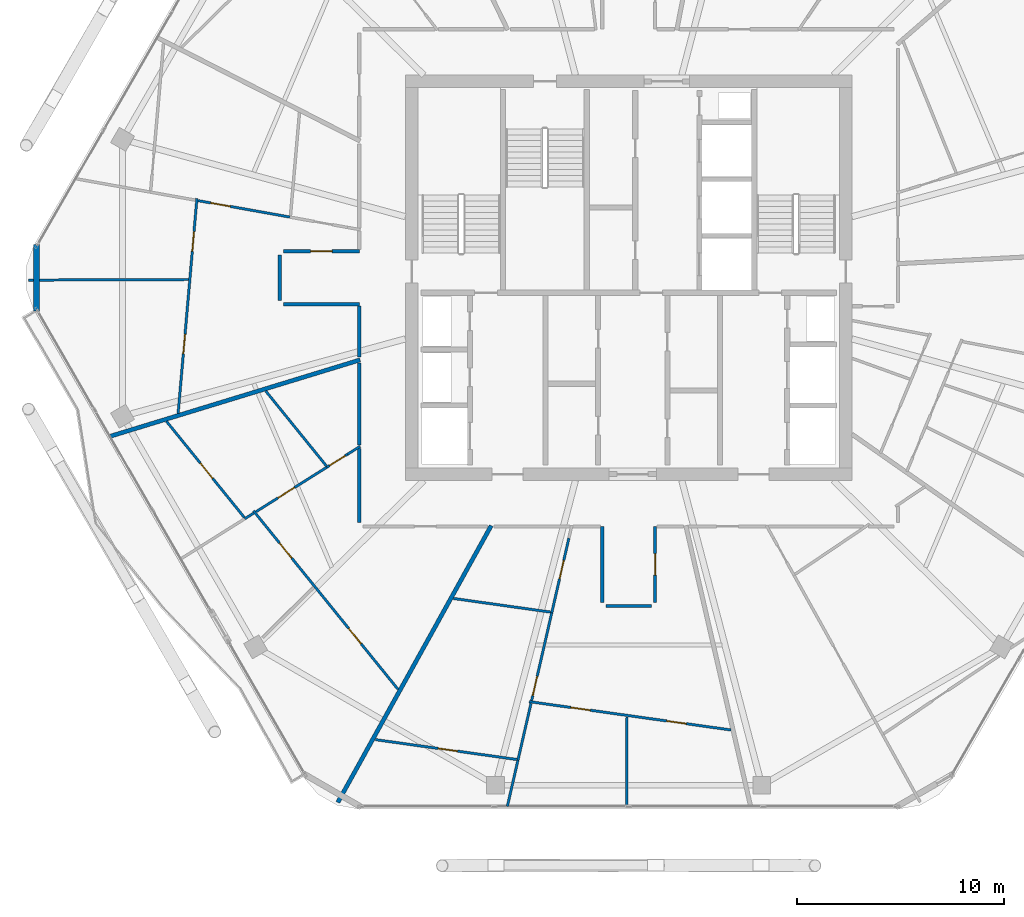
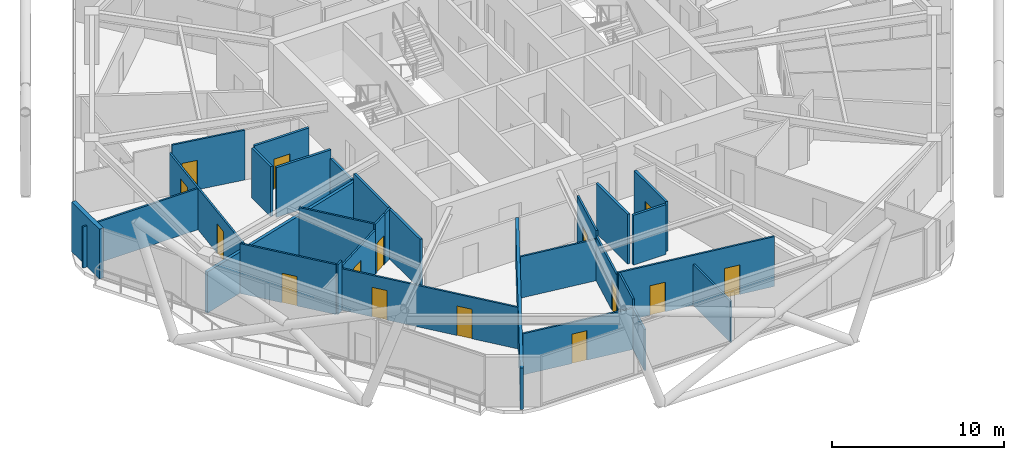
# One storey, part 20 of 28: 30 walls, 15 doors, 15 openings.
"""IFC4 building model written with IfcOpenShell, lengths in metres."""

from ifc_helpers import new_model, si_unit, direction, frame, frame_2d, origin, place, context, subcontext, project, spatial, rectangle, extrude, material, layer, layer_set, type_object, element, fill, save


model = new_model("IFC4")

# Units and contexts
model_context = context("Model", 3, precision=1e-05, world=origin(), true_north=direction((0.0, 1.0)))
body_context = subcontext(model_context, "Body", "Model", "MODEL_VIEW")
ifc_project = project(units=[si_unit("LENGTHUNIT", "METRE"), si_unit("AREAUNIT", "SQUARE_METRE"), si_unit("VOLUMEUNIT", "CUBIC_METRE"), si_unit("PLANEANGLEUNIT", "RADIAN"), si_unit("MASSUNIT", "GRAM", prefix="KILO")], contexts=[model_context])

# Site, building, storey
site_placement = place(None, origin())
site = spatial("IfcSite", under=ifc_project, at=site_placement, CompositionType="ELEMENT")
building_placement = place(site_placement, origin())
building = spatial("IfcBuilding", under=site, at=building_placement, Name="Zuhravey Tower", CompositionType="ELEMENT")
storey_placement = place(building_placement, frame((0.0, 0.0, 284.39990234375)))
storey = spatial("IfcBuildingStorey", under=building, at=storey_placement, Name="L72", CompositionType="ELEMENT", Elevation=284.39990234375)

# Wall, opening, door
ifc_material_1 = material(Name="Gypsum fire-rated stud partition")
ifc_layer_1 = layer(ifc_material_1, 0.159912109375)
ifc_layer_set_1 = layer_set([ifc_layer_1], Name="Gypsum fire-rated stud partition")
wall_type_1 = type_object("IfcWallType", Name="Corridor Fire Partition 160", PredefinedType="PARTITIONING", material=ifc_layer_set_1)
wall_1_placement = place(storey_placement, frame((22.969970703125, 33.280029296875, 0.0), z_axis=(0.0, 0.0, 1.0), x_axis=(-1.0, 0.0, 0.0)))
wall_1 = element("IfcWall", 1, at=wall_1_placement, inside=storey, type_object=wall_type_1, Name="L72 IW16 Partition 026", PredefinedType="PARTITIONING", context=body_context, shape_type="SweptSolid", body=[
    extrude(rectangle(XDim=3.669921875, YDim=0.159912109375, at=frame_2d((1.8349609375, 0.0))), origin(), (0.0, 0.0, 1.0), 3.550048828125),
])
opening_1_placement = place(wall_1_placement, frame((1.31005859375, 0.0, 0.0)))
opening_1 = element("IfcOpeningElement", 2, at=opening_1_placement, cuts=wall_1, Name="Opening APD1", PredefinedType="OPENING", context=body_context, shape_type="SweptSolid", body=[
    extrude(rectangle(XDim=1.050048828125, YDim=2.14990234375, at=frame_2d((0.52490234375, 1.074951171875))), frame((0.0, 0.092041015625, 0.0), z_axis=(0.0, -1.0, 0.0), x_axis=(1.0, 0.0, 0.0)), (0.0, 0.0, 1.0), 0.183837890625),
])
ifc_material_2 = material(Name="Solid-core oak fire-rated leaf")
door_type_1 = type_object("IfcDoorType", Name="Apartment Entrance Fire Door 1050x2150", OperationType="NOTDEFINED", PredefinedType="DOOR", material=ifc_material_2)
door_1_placement = place(opening_1_placement, origin())
door_1 = element("IfcDoor", 3, at=door_1_placement, inside=storey, type_object=door_type_1, Name="L72 Door 026.1", OperationType="SINGLE_SWING_LEFT", OverallHeight=2.14990234375, OverallWidth=1.050048828125, PredefinedType="DOOR", context=body_context, shape_type="SweptSolid", body=[
    extrude(rectangle(XDim=1.050048828125, YDim=2.14990234375, at=frame_2d((0.52490234375, 1.074951171875))), frame((0.0, 0.02490234375, 0.0), z_axis=(0.0, -1.0, 0.0), x_axis=(1.0, 0.0, 0.0)), (0.0, 0.0, 1.0), 0.050048828125),
])
fill(opening_1, door_1)

wall_2_placement = place(storey_placement, frame((37.280029296875, 16.300048828125, 0.0), z_axis=(0.0, 0.0, 1.0), x_axis=(0.0, 1.0, 0.0)))
wall_2 = element("IfcWall", 4, at=wall_2_placement, inside=storey, type_object=wall_type_1, Name="L72 IW16 Partition 038", PredefinedType="PARTITIONING", context=body_context, shape_type="SweptSolid", body=[
    extrude(rectangle(XDim=3.669921875, YDim=0.159912109375, at=frame_2d((1.8349609375, 0.0))), origin(), (0.0, 0.0, 1.0), 3.550048828125),
])
opening_2_placement = place(wall_2_placement, frame((1.31005859375, 0.0, 0.0)))
opening_2 = element("IfcOpeningElement", 5, at=opening_2_placement, cuts=wall_2, Name="Opening APD1", PredefinedType="OPENING", context=body_context, shape_type="SweptSolid", body=[
    extrude(rectangle(XDim=1.050048828125, YDim=2.14990234375, at=frame_2d((0.52490234375, 1.074951171875))), frame((0.0, 0.092041015625, 0.0), z_axis=(0.0, -1.0, 0.0), x_axis=(1.0, 0.0, 0.0)), (0.0, 0.0, 1.0), 0.183837890625),
])
door_2_placement = place(opening_2_placement, origin())
door_2 = element("IfcDoor", 6, at=door_2_placement, inside=storey, type_object=door_type_1, Name="L72 Door 038.1", OperationType="SINGLE_SWING_LEFT", OverallHeight=2.14990234375, OverallWidth=1.050048828125, PredefinedType="DOOR", context=body_context, shape_type="SweptSolid", body=[
    extrude(rectangle(XDim=1.050048828125, YDim=2.14990234375, at=frame_2d((0.52490234375, 1.074951171875))), frame((0.0, 0.02490234375, 0.0), z_axis=(0.0, -1.0, 0.0), x_axis=(1.0, 0.0, 0.0)), (0.0, 0.0, 1.0), 0.050048828125),
])
fill(opening_2, door_2)

# Walls
wall_3_placement = place(storey_placement, frame((19.300048828125, 30.719970703125, 0.0), z_axis=(0.0, 0.0, 1.0), x_axis=(1.0, 0.0, 0.0)))
element("IfcWall", 7, at=wall_3_placement, inside=storey, type_object=wall_type_1, Name="L72 IW16 Partition 114", PredefinedType="PARTITIONING", context=body_context, shape_type="SweptSolid", body=[
    extrude(rectangle(XDim=3.669921875, YDim=0.159912109375, at=frame_2d((1.8349609375, 0.0))), origin(), (0.0, 0.0, 1.0), 3.550048828125),
])
wall_4_placement = place(storey_placement, frame((22.969970703125, 30.632080078125, 0.0), z_axis=(0.0, 0.0, 1.0), x_axis=(0.0, -1.0, 0.0)))
element("IfcWall", 8, at=wall_4_placement, inside=storey, type_object=wall_type_1, Name="L72 IW16 Partition 115", PredefinedType="PARTITIONING", context=body_context, shape_type="SweptSolid", body=[
    extrude(rectangle(XDim=2.470947265625, YDim=0.159912109375, at=frame_2d((1.2353515625, 0.0))), origin(), (0.0, 0.0, 1.0), 2.9501953125),
])
wall_5_placement = place(storey_placement, frame((19.1201171875, 33.10009765625, 0.0), z_axis=(0.0, 0.0, 1.0), x_axis=(0.0, -1.0, 0.0)))
element("IfcWall", 9, at=wall_5_placement, inside=storey, type_object=wall_type_1, Name="L72 IW16 Partition 116", PredefinedType="PARTITIONING", context=body_context, shape_type="SweptSolid", body=[
    extrude(rectangle(XDim=2.2001953125, YDim=0.159912109375, at=frame_2d((1.10009765625, 0.0))), origin(), (0.0, 0.0, 1.0), 3.550048828125),
])
wall_6_placement = place(storey_placement, frame((22.969970703125, 23.73974609375, 0.0), z_axis=(0.0, 0.0, 1.0), x_axis=(0.0, -1.0, 0.0)))
element("IfcWall", 10, at=wall_6_placement, inside=storey, type_object=wall_type_1, Name="L72 IW16 Partition 119", PredefinedType="PARTITIONING", context=body_context, shape_type="SweptSolid", body=[
    extrude(rectangle(XDim=3.58984375, YDim=0.159912109375, at=frame_2d((1.794921875, 0.0))), origin(), (0.0, 0.0, 1.0), 3.550048828125),
])
wall_7_placement = place(storey_placement, frame((22.969970703125, 27.87060546875, 0.0), z_axis=(0.0, 0.0, 1.0), x_axis=(0.0, -1.0, 0.0)))
element("IfcWall", 11, at=wall_7_placement, inside=storey, type_object=wall_type_1, Name="L72 IW16 Partition 120", PredefinedType="PARTITIONING", context=body_context, shape_type="SweptSolid", body=[
    extrude(rectangle(XDim=3.970458984375, YDim=0.159912109375, at=frame_2d((1.9853515625, 0.0))), origin(), (0.0, 0.0, 1.0), 3.550048828125),
])
wall_8_placement = place(storey_placement, frame((34.719970703125, 19.969970703125, 0.0), z_axis=(0.0, 0.0, 1.0), x_axis=(0.0, -1.0, 0.0)))
element("IfcWall", 12, at=wall_8_placement, inside=storey, type_object=wall_type_1, Name="L72 IW16 Partition 121", PredefinedType="PARTITIONING", context=body_context, shape_type="SweptSolid", body=[
    extrude(rectangle(XDim=3.669921875, YDim=0.159912109375, at=frame_2d((1.8349609375, 0.0))), origin(), (0.0, 0.0, 1.0), 3.550048828125),
])
wall_9_placement = place(storey_placement, frame((34.89990234375, 16.1201171875, 0.0), z_axis=(0.0, 0.0, 1.0), x_axis=(1.0, 0.0, 0.0)))
element("IfcWall", 13, at=wall_9_placement, inside=storey, type_object=wall_type_1, Name="L72 IW16 Partition 122", PredefinedType="PARTITIONING", context=body_context, shape_type="SweptSolid", body=[
    extrude(rectangle(XDim=2.2001953125, YDim=0.159912109375, at=frame_2d((1.10009765625, 0.0))), origin(), (0.0, 0.0, 1.0), 3.550048828125),
])
ifc_material_3 = material(Name="Precast concrete C40/50", Category="concrete")
ifc_layer_2 = layer(ifc_material_3, 0.280029296875)
ifc_layer_set_2 = layer_set([ifc_layer_2], Name="Precast concrete C40/50")
wall_type_2 = type_object("IfcWallType", Name="Crown Architectural Wall 280", PredefinedType="SOLIDWALL", material=ifc_layer_set_2)
wall_10_placement = place(storey_placement, frame((7.35498046875, 30.392578125, 0.0), z_axis=(0.0, 0.0, 1.0), x_axis=(0.0, 1.0, 0.0)))
element("IfcWall", 14, at=wall_10_placement, inside=storey, type_object=wall_type_2, Name="L72 Rounded Corner Closure Wall EW28-06", PredefinedType="SOLIDWALL", context=body_context, shape_type="SweptSolid", body=[
    extrude(rectangle(XDim=3.21484375, YDim=0.280029296875, at=frame_2d((1.607421875, 0.0))), origin(), (0.0, 0.0, 1.0), 3.550048828125),
])
ifc_material_4 = material(Name="Gypsum double-stud party assembly")
ifc_layer_3 = layer(ifc_material_4, 0.199951171875)
ifc_layer_set_3 = layer_set([ifc_layer_3], Name="Gypsum double-stud party assembly")
wall_type_3 = type_object("IfcWallType", Name="Inter-Tenancy Party Wall 200", PredefinedType="PARTITIONING", material=ifc_layer_set_3)
wall_11_placement = place(storey_placement, frame((23.010009765625, 28.028564453125, 0.0), z_axis=(0.0, 0.0, 1.0), x_axis=(-0.956304823796, -0.292371482852, 0.0)))
element("IfcWall", 15, at=wall_11_placement, inside=storey, type_object=wall_type_3, Name="L72 IW20 Partition 075", PredefinedType="PARTITIONING", context=body_context, shape_type="SweptSolid", body=[
    extrude(rectangle(XDim=12.65234375, YDim=0.199951171875, at=frame_2d((6.326171875, 0.0))), origin(), (0.0, 0.0, 1.0), 2.93017578125),
])
wall_12_placement = place(storey_placement, frame((29.353759765625, 20.010009765625, 0.0), z_axis=(0.0, 0.0, 1.0), x_axis=(-0.48480997026, -0.874619513124, 0.0)))
element("IfcWall", 16, at=wall_12_placement, inside=storey, type_object=wall_type_3, Name="L72 IW20 Partition 080", PredefinedType="PARTITIONING", context=body_context, shape_type="SweptSolid", body=[
    extrude(rectangle(XDim=15.308837890625, YDim=0.199951171875, at=frame_2d((7.654296875, 0.0))), origin(), (0.0, 0.0, 1.0), 2.93017578125),
])

# Wall, openings, doors
ifc_material_5 = material(Name="Gypsum metal-stud partition")
ifc_layer_4 = layer(ifc_material_5, 0.1201171875)
ifc_layer_set_4 = layer_set([ifc_layer_4], Name="Gypsum metal-stud partition")
wall_type_4 = type_object("IfcWallType", Name="Unit Internal Partition 120", PredefinedType="PARTITIONING", material=ifc_layer_set_4)
wall_13_placement = place(storey_placement, frame((15.115478515625, 35.84423828125, 0.0), z_axis=(0.0, 0.0, 1.0), x_axis=(-0.087167240255, -0.996193692123, 0.0)))
wall_13 = element("IfcWall", 17, at=wall_13_placement, inside=storey, type_object=wall_type_4, Name="L72 IW12 Partition 021", PredefinedType="PARTITIONING", context=body_context, shape_type="SweptSolid", body=[
    extrude(rectangle(XDim=10.4443359375, YDim=0.1201171875, at=frame_2d((5.22216796875, 0.0))), origin(), (0.0, 0.0, 1.0), 2.9501953125),
])
opening_3_placement = place(wall_13_placement, frame((1.615966796875, 0.0, 0.0)))
opening_3 = element("IfcOpeningElement", 18, at=opening_3_placement, cuts=wall_13, Name="Opening IND1", PredefinedType="OPENING", context=body_context, shape_type="SweptSolid", body=[
    extrude(rectangle(XDim=0.949951171875, YDim=2.10009765625, at=frame_2d((0.47509765625, 1.050048828125))), frame((0.0, 0.072021484375, 0.0), z_axis=(0.0, -1.0, 0.0), x_axis=(1.0, 0.0, 0.0)), (0.0, 0.0, 1.0), 0.14404296875),
])
opening_4_placement = place(wall_13_placement, frame((6.59765625, 0.0, 0.0)))
opening_4 = element("IfcOpeningElement", 19, at=opening_4_placement, cuts=wall_13, Name="Opening IND1", PredefinedType="OPENING", context=body_context, shape_type="SweptSolid", body=[
    extrude(rectangle(XDim=0.949951171875, YDim=2.10009765625, at=frame_2d((0.47509765625, 1.050048828125))), frame((0.0, 0.072021484375, 0.0), z_axis=(0.0, -1.0, 0.0), x_axis=(1.0, 0.0, 0.0)), (0.0, 0.0, 1.0), 0.14404296875),
])
ifc_material_6 = material(Name="Painted engineered timber leaf", Category="wood")
door_type_2 = type_object("IfcDoorType", Name="Internal Room & Bedroom Door 950x2100", OperationType="NOTDEFINED", PredefinedType="DOOR", material=ifc_material_6)
door_3_placement = place(opening_3_placement, frame((0.949951171875, 0.0, 0.0), z_axis=(0.0, 0.0, 1.0), x_axis=(-1.0, 0.0, 0.0)))
door_3 = element("IfcDoor", 20, at=door_3_placement, inside=storey, type_object=door_type_2, Name="Apartment L72-01 Family Study Door", OperationType="SINGLE_SWING_RIGHT", OverallHeight=2.10009765625, OverallWidth=0.949951171875, PredefinedType="DOOR", context=body_context, shape_type="SweptSolid", body=[
    extrude(rectangle(XDim=0.949951171875, YDim=2.10009765625, at=frame_2d((0.47509765625, 1.050048828125))), frame((0.0, 0.02490234375, 0.0), z_axis=(0.0, -1.0, 0.0), x_axis=(1.0, 0.0, 0.0)), (0.0, 0.0, 1.0), 0.050048828125),
])
fill(opening_3, door_3)
door_4_placement = place(opening_4_placement, frame((0.949951171875, 0.0, 0.0), z_axis=(0.0, 0.0, 1.0), x_axis=(-1.0, 0.0, 0.0)))
door_4 = element("IfcDoor", 21, at=door_4_placement, inside=storey, type_object=door_type_2, Name="Apartment L72-01 Dining Room Door", OperationType="SINGLE_SWING_LEFT", OverallHeight=2.10009765625, OverallWidth=0.949951171875, PredefinedType="DOOR", context=body_context, shape_type="SweptSolid", body=[
    extrude(rectangle(XDim=0.949951171875, YDim=2.10009765625, at=frame_2d((0.47509765625, 1.050048828125))), frame((0.0, 0.02490234375, 0.0), z_axis=(0.0, -1.0, 0.0), x_axis=(1.0, 0.0, 0.0)), (0.0, 0.0, 1.0), 0.050048828125),
])
fill(opening_4, door_4)

# Wall, opening, door
wall_14_placement = place(storey_placement, frame((19.609619140625, 34.937255859375, 0.0), z_axis=(0.0, 0.0, 1.0), x_axis=(-0.984317552752, 0.176405655645, 0.0)))
wall_14 = element("IfcWall", 22, at=wall_14_placement, inside=storey, type_object=wall_type_4, Name="L72 IW12 Partition 023", PredefinedType="PARTITIONING", context=body_context, shape_type="SweptSolid", body=[
    extrude(rectangle(XDim=4.506103515625, YDim=0.1201171875, at=frame_2d((2.2529296875, 0.0))), origin(), (0.0, 0.0, 1.0), 3.550048828125),
])
opening_5_placement = place(wall_14_placement, frame((2.935546875, 0.0, 0.0)))
opening_5 = element("IfcOpeningElement", 23, at=opening_5_placement, cuts=wall_14, Name="Opening IND1", PredefinedType="OPENING", context=body_context, shape_type="SweptSolid", body=[
    extrude(rectangle(XDim=0.949951171875, YDim=2.10009765625, at=frame_2d((0.47509765625, 1.050048828125))), frame((0.0, 0.072021484375, 0.0), z_axis=(0.0, -1.0, 0.0), x_axis=(1.0, 0.0, 0.0)), (0.0, 0.0, 1.0), 0.14404296875),
])
door_5_placement = place(opening_5_placement, frame((0.949951171875, 0.0, 0.0), z_axis=(0.0, 0.0, 1.0), x_axis=(-1.0, 0.0, 0.0)))
door_5 = element("IfcDoor", 24, at=door_5_placement, inside=storey, type_object=door_type_2, Name="Apartment L72-01 Home Office Door", OperationType="SINGLE_SWING_LEFT", OverallHeight=2.10009765625, OverallWidth=0.949951171875, PredefinedType="DOOR", context=body_context, shape_type="SweptSolid", body=[
    extrude(rectangle(XDim=0.949951171875, YDim=2.10009765625, at=frame_2d((0.47509765625, 1.050048828125))), frame((0.0, 0.02490234375, 0.0), z_axis=(0.0, -1.0, 0.0), x_axis=(1.0, 0.0, 0.0)), (0.0, 0.0, 1.0), 0.050048828125),
])
fill(opening_5, door_5)

# Wall, openings, doors
wall_15_placement = place(storey_placement, frame((17.851318359375, 20.724609375, 0.0), z_axis=(0.0, 0.0, 1.0), x_axis=(0.629311937349, -0.777152807053, 0.0)))
wall_15 = element("IfcWall", 25, at=wall_15_placement, inside=storey, type_object=wall_type_4, Name="L72 IW12 Partition 027", PredefinedType="PARTITIONING", context=body_context, shape_type="SweptSolid", body=[
    extrude(rectangle(XDim=11.116943359375, YDim=0.1201171875, at=frame_2d((5.55859375, 0.0))), origin(), (0.0, 0.0, 1.0), 2.9501953125),
])
opening_6_placement = place(wall_15_placement, frame((2.001220703125, 0.0, 0.0)))
opening_6 = element("IfcOpeningElement", 26, at=opening_6_placement, cuts=wall_15, Name="Opening IND1", PredefinedType="OPENING", context=body_context, shape_type="SweptSolid", body=[
    extrude(rectangle(XDim=0.949951171875, YDim=2.10009765625, at=frame_2d((0.47509765625, 1.050048828125))), frame((0.0, 0.072021484375, 0.0), z_axis=(0.0, -1.0, 0.0), x_axis=(1.0, 0.0, 0.0)), (0.0, 0.0, 1.0), 0.14404296875),
])
opening_7_placement = place(wall_15_placement, frame((7.3193359375, 0.0, 0.0)))
opening_7 = element("IfcOpeningElement", 27, at=opening_7_placement, cuts=wall_15, Name="Opening IND1", PredefinedType="OPENING", context=body_context, shape_type="SweptSolid", body=[
    extrude(rectangle(XDim=0.949951171875, YDim=2.10009765625, at=frame_2d((0.47509765625, 1.050048828125))), frame((0.0, 0.072021484375, 0.0), z_axis=(0.0, -1.0, 0.0), x_axis=(1.0, 0.0, 0.0)), (0.0, 0.0, 1.0), 0.14404296875),
])
door_6_placement = place(opening_6_placement, frame((0.949951171875, 0.0, 0.0), z_axis=(0.0, 0.0, 1.0), x_axis=(-1.0, 0.0, 0.0)))
door_6 = element("IfcDoor", 28, at=door_6_placement, inside=storey, type_object=door_type_2, Name="Apartment L72-02 Family Study Door", OperationType="SINGLE_SWING_RIGHT", OverallHeight=2.10009765625, OverallWidth=0.949951171875, PredefinedType="DOOR", context=body_context, shape_type="SweptSolid", body=[
    extrude(rectangle(XDim=0.949951171875, YDim=2.10009765625, at=frame_2d((0.47509765625, 1.050048828125))), frame((0.0, 0.02490234375, 0.0), z_axis=(0.0, -1.0, 0.0), x_axis=(1.0, 0.0, 0.0)), (0.0, 0.0, 1.0), 0.050048828125),
])
fill(opening_6, door_6)
door_7_placement = place(opening_7_placement, frame((0.949951171875, 0.0, 0.0), z_axis=(0.0, 0.0, 1.0), x_axis=(-1.0, 0.0, 0.0)))
door_7 = element("IfcDoor", 29, at=door_7_placement, inside=storey, type_object=door_type_2, Name="Apartment L72-02 Dining Room Door", OperationType="SINGLE_SWING_LEFT", OverallHeight=2.10009765625, OverallWidth=0.949951171875, PredefinedType="DOOR", context=body_context, shape_type="SweptSolid", body=[
    extrude(rectangle(XDim=0.949951171875, YDim=2.10009765625, at=frame_2d((0.47509765625, 1.050048828125))), frame((0.0, 0.02490234375, 0.0), z_axis=(0.0, -1.0, 0.0), x_axis=(1.0, 0.0, 0.0)), (0.0, 0.0, 1.0), 0.050048828125),
])
fill(opening_7, door_7)

# Wall, opening, door
wall_16_placement = place(storey_placement, frame((22.39990234375, 23.462158203125, 0.0), z_axis=(0.0, 0.0, 1.0), x_axis=(-0.846918091409, -0.531723373987, 0.0)))
wall_16 = element("IfcWall", 30, at=wall_16_placement, inside=storey, type_object=wall_type_4, Name="L72 IW12 Partition 028", PredefinedType="PARTITIONING", context=body_context, shape_type="SweptSolid", body=[
    extrude(rectangle(XDim=1.182861328125, YDim=0.1201171875, at=frame_2d((0.59130859375, 0.0))), origin(), (0.0, 0.0, 1.0), 3.550048828125),
])
opening_8_placement = place(wall_16_placement, frame((0.127197265625, 0.0, 0.0)))
opening_8 = element("IfcOpeningElement", 31, at=opening_8_placement, cuts=wall_16, Name="Opening WCD1", PredefinedType="OPENING", context=body_context, shape_type="SweptSolid", body=[
    extrude(rectangle(XDim=0.89990234375, YDim=2.10009765625, at=frame_2d((0.449951171875, 1.050048828125))), frame((0.0, 0.072021484375, 0.0), z_axis=(0.0, -1.0, 0.0), x_axis=(1.0, 0.0, 0.0)), (0.0, 0.0, 1.0), 0.14404296875),
])
ifc_material_7 = material(Name="Moisture-resistant timber leaf", Category="wood")
door_type_3 = type_object("IfcDoorType", Name="Bathroom & WC Internal Door 900x2100", OperationType="NOTDEFINED", PredefinedType="DOOR", material=ifc_material_7)
door_8_placement = place(opening_8_placement, frame((0.89990234375, 0.0, 0.0), z_axis=(0.0, 0.0, 1.0), x_axis=(-1.0, 0.0, 0.0)))
door_8 = element("IfcDoor", 32, at=door_8_placement, inside=storey, type_object=door_type_3, Name="Apartment L72-02 Bathroom Door", OperationType="SINGLE_SWING_RIGHT", OverallHeight=2.10009765625, OverallWidth=0.89990234375, PredefinedType="DOOR", context=body_context, shape_type="SweptSolid", body=[
    extrude(rectangle(XDim=0.89990234375, YDim=2.10009765625, at=frame_2d((0.449951171875, 1.050048828125))), frame((0.0, 0.02490234375, 0.0), z_axis=(0.0, -1.0, 0.0), x_axis=(1.0, 0.0, 0.0)), (0.0, 0.0, 1.0), 0.050048828125),
])
fill(opening_8, door_8)

wall_17_placement = place(storey_placement, frame((21.398193359375, 22.833251953125, 0.0), z_axis=(0.0, 0.0, 1.0), x_axis=(-0.84692159597, -0.531717791953, 0.0)))
wall_17 = element("IfcWall", 33, at=wall_17_placement, inside=storey, type_object=wall_type_4, Name="L72 IW12 Partition 029", PredefinedType="PARTITIONING", context=body_context, shape_type="SweptSolid", body=[
    extrude(rectangle(XDim=4.044677734375, YDim=0.1201171875, at=frame_2d((2.0224609375, 0.0))), origin(), (0.0, 0.0, 1.0), 3.150146484375),
])
opening_9_placement = place(wall_17_placement, frame((1.843994140625, 0.0, 0.0)))
opening_9 = element("IfcOpeningElement", 34, at=opening_9_placement, cuts=wall_17, Name="Opening IND1", PredefinedType="OPENING", context=body_context, shape_type="SweptSolid", body=[
    extrude(rectangle(XDim=0.949951171875, YDim=2.10009765625, at=frame_2d((0.47509765625, 1.050048828125))), frame((0.0, 0.072021484375, 0.0), z_axis=(0.0, -1.0, 0.0), x_axis=(1.0, 0.0, 0.0)), (0.0, 0.0, 1.0), 0.14404296875),
])
door_9_placement = place(opening_9_placement, frame((0.949951171875, 0.0, 0.0), z_axis=(0.0, 0.0, 1.0), x_axis=(-1.0, 0.0, 0.0)))
door_9 = element("IfcDoor", 35, at=door_9_placement, inside=storey, type_object=door_type_2, Name="Apartment L72-02 Home Office Door", OperationType="SINGLE_SWING_LEFT", OverallHeight=2.10009765625, OverallWidth=0.949951171875, PredefinedType="DOOR", context=body_context, shape_type="SweptSolid", body=[
    extrude(rectangle(XDim=0.949951171875, YDim=2.10009765625, at=frame_2d((0.47509765625, 1.050048828125))), frame((0.0, 0.02490234375, 0.0), z_axis=(0.0, -1.0, 0.0), x_axis=(1.0, 0.0, 0.0)), (0.0, 0.0, 1.0), 0.050048828125),
])
fill(opening_9, door_9)

# Wall
wall_18_placement = place(storey_placement, frame((17.856689453125, 20.60986328125, 0.0), z_axis=(0.0, 0.0, 1.0), x_axis=(-0.847021311188, -0.531558932192, 0.0)))
element("IfcWall", 36, at=wall_18_placement, inside=storey, type_object=wall_type_4, Name="L72 IW12 Partition 030", PredefinedType="PARTITIONING", context=body_context, shape_type="SweptSolid", body=[
    extrude(rectangle(XDim=0.506103515625, YDim=0.1201171875, at=frame_2d((0.2529296875, 0.0))), origin(), (0.0, 0.0, 1.0), 3.550048828125),
])

# Wall, opening, door
wall_19_placement = place(storey_placement, frame((13.64208984375, 25.055419921875, 0.0), z_axis=(0.0, 0.0, 1.0), x_axis=(0.629353217971, -0.777119377593, 0.0)))
wall_19 = element("IfcWall", 37, at=wall_19_placement, inside=storey, type_object=wall_type_4, Name="L72 IW12 Partition 031", PredefinedType="PARTITIONING", context=body_context, shape_type="SweptSolid", body=[
    extrude(rectangle(XDim=5.98095703125, YDim=0.1201171875, at=frame_2d((2.990478515625, 0.0))), origin(), (0.0, 0.0, 1.0), 3.550048828125),
])
opening_10_placement = place(wall_19_placement, frame((2.60009765625, 0.0, 0.0)))
opening_10 = element("IfcOpeningElement", 38, at=opening_10_placement, cuts=wall_19, Name="Opening IND1", PredefinedType="OPENING", context=body_context, shape_type="SweptSolid", body=[
    extrude(rectangle(XDim=0.949951171875, YDim=2.10009765625, at=frame_2d((0.47509765625, 1.050048828125))), frame((0.0, 0.072021484375, 0.0), z_axis=(0.0, -1.0, 0.0), x_axis=(1.0, 0.0, 0.0)), (0.0, 0.0, 1.0), 0.14404296875),
])
door_10_placement = place(opening_10_placement, frame((0.949951171875, 0.0, 0.0), z_axis=(0.0, 0.0, 1.0), x_axis=(-1.0, 0.0, 0.0)))
door_10 = element("IfcDoor", 39, at=door_10_placement, inside=storey, type_object=door_type_2, Name="Apartment L72-02 Bedroom 1 Door", OperationType="SINGLE_SWING_RIGHT", OverallHeight=2.10009765625, OverallWidth=0.949951171875, PredefinedType="DOOR", context=body_context, shape_type="SweptSolid", body=[
    extrude(rectangle(XDim=0.949951171875, YDim=2.10009765625, at=frame_2d((0.47509765625, 1.050048828125))), frame((0.0, 0.02490234375, 0.0), z_axis=(0.0, -1.0, 0.0), x_axis=(1.0, 0.0, 0.0)), (0.0, 0.0, 1.0), 0.050048828125),
])
fill(opening_10, door_10)

# Wall, openings, doors
wall_20_placement = place(storey_placement, frame((31.193359375, 11.493896484375, 0.0), z_axis=(0.0, 0.0, 1.0), x_axis=(0.990267998159, -0.139173603183, 0.0)))
wall_20 = element("IfcWall", 40, at=wall_20_placement, inside=storey, type_object=wall_type_4, Name="L72 IW12 Partition 033", PredefinedType="PARTITIONING", context=body_context, shape_type="SweptSolid", body=[
    extrude(rectangle(XDim=9.855224609375, YDim=0.1201171875, at=frame_2d((4.927734375, 0.0))), origin(), (0.0, 0.0, 1.0), 3.550048828125),
])
opening_11_placement = place(wall_20_placement, frame((2.033935546875, 0.0, 0.0)))
opening_11 = element("IfcOpeningElement", 41, at=opening_11_placement, cuts=wall_20, Name="Opening IND1", PredefinedType="OPENING", context=body_context, shape_type="SweptSolid", body=[
    extrude(rectangle(XDim=0.949951171875, YDim=2.10009765625, at=frame_2d((0.47509765625, 1.050048828125))), frame((0.0, 0.072021484375, 0.0), z_axis=(0.0, -1.0, 0.0), x_axis=(1.0, 0.0, 0.0)), (0.0, 0.0, 1.0), 0.14404296875),
])
opening_12_placement = place(wall_20_placement, frame((6.720458984375, 0.0, 0.0)))
opening_12 = element("IfcOpeningElement", 42, at=opening_12_placement, cuts=wall_20, Name="Opening IND1", PredefinedType="OPENING", context=body_context, shape_type="SweptSolid", body=[
    extrude(rectangle(XDim=0.949951171875, YDim=2.10009765625, at=frame_2d((0.47509765625, 1.050048828125))), frame((0.0, 0.072021484375, 0.0), z_axis=(0.0, -1.0, 0.0), x_axis=(1.0, 0.0, 0.0)), (0.0, 0.0, 1.0), 0.14404296875),
])
door_11_placement = place(opening_11_placement, frame((0.949951171875, 0.0, 0.0), z_axis=(0.0, 0.0, 1.0), x_axis=(-1.0, 0.0, 0.0)))
door_11 = element("IfcDoor", 43, at=door_11_placement, inside=storey, type_object=door_type_2, Name="Apartment L72-03 Family Study Door", OperationType="SINGLE_SWING_RIGHT", OverallHeight=2.10009765625, OverallWidth=0.949951171875, PredefinedType="DOOR", context=body_context, shape_type="SweptSolid", body=[
    extrude(rectangle(XDim=0.949951171875, YDim=2.10009765625, at=frame_2d((0.47509765625, 1.050048828125))), frame((0.0, 0.02490234375, 0.0), z_axis=(0.0, -1.0, 0.0), x_axis=(1.0, 0.0, 0.0)), (0.0, 0.0, 1.0), 0.050048828125),
])
fill(opening_11, door_11)
door_12_placement = place(opening_12_placement, frame((0.949951171875, 0.0, 0.0), z_axis=(0.0, 0.0, 1.0), x_axis=(-1.0, 0.0, 0.0)))
door_12 = element("IfcDoor", 44, at=door_12_placement, inside=storey, type_object=door_type_2, Name="Apartment L72-03 Dining Room Door", OperationType="SINGLE_SWING_LEFT", OverallHeight=2.10009765625, OverallWidth=0.949951171875, PredefinedType="DOOR", context=body_context, shape_type="SweptSolid", body=[
    extrude(rectangle(XDim=0.949951171875, YDim=2.10009765625, at=frame_2d((0.47509765625, 1.050048828125))), frame((0.0, 0.02490234375, 0.0), z_axis=(0.0, -1.0, 0.0), x_axis=(1.0, 0.0, 0.0)), (0.0, 0.0, 1.0), 0.050048828125),
])
fill(opening_12, door_12)

# Wall, opening, door
wall_21_placement = place(storey_placement, frame((33.109619140625, 19.39990234375, 0.0), z_axis=(0.0, 0.0, 1.0), x_axis=(-0.223602016725, -0.974680531311, 0.0)))
wall_21 = element("IfcWall", 45, at=wall_21_placement, inside=storey, type_object=wall_type_4, Name="L72 IW12 Partition 034", PredefinedType="PARTITIONING", context=body_context, shape_type="SweptSolid", body=[
    extrude(rectangle(XDim=3.701416015625, YDim=0.1201171875, at=frame_2d((1.8505859375, 0.0))), origin(), (0.0, 0.0, 1.0), 3.550048828125),
])
opening_13_placement = place(wall_21_placement, frame((1.1044921875, 0.0, 0.0)))
opening_13 = element("IfcOpeningElement", 46, at=opening_13_placement, cuts=wall_21, Name="Opening WCD1", PredefinedType="OPENING", context=body_context, shape_type="SweptSolid", body=[
    extrude(rectangle(XDim=0.89990234375, YDim=2.10009765625, at=frame_2d((0.449951171875, 1.050048828125))), frame((0.0, 0.072021484375, 0.0), z_axis=(0.0, -1.0, 0.0), x_axis=(1.0, 0.0, 0.0)), (0.0, 0.0, 1.0), 0.14404296875),
])
door_13_placement = place(opening_13_placement, frame((0.89990234375, 0.0, 0.0), z_axis=(0.0, 0.0, 1.0), x_axis=(-1.0, 0.0, 0.0)))
door_13 = element("IfcDoor", 47, at=door_13_placement, inside=storey, type_object=door_type_3, Name="Apartment L72-03 Bathroom Door", OperationType="SINGLE_SWING_RIGHT", OverallHeight=2.10009765625, OverallWidth=0.89990234375, PredefinedType="DOOR", context=body_context, shape_type="SweptSolid", body=[
    extrude(rectangle(XDim=0.89990234375, YDim=2.10009765625, at=frame_2d((0.449951171875, 1.050048828125))), frame((0.0, 0.02490234375, 0.0), z_axis=(0.0, -1.0, 0.0), x_axis=(1.0, 0.0, 0.0)), (0.0, 0.0, 1.0), 0.050048828125),
])
fill(opening_13, door_13)

wall_22_placement = place(storey_placement, frame((32.281982421875, 15.792236328125, 0.0), z_axis=(0.0, 0.0, 1.0), x_axis=(-0.223578065354, -0.974686025699, 0.0)))
wall_22 = element("IfcWall", 48, at=wall_22_placement, inside=storey, type_object=wall_type_4, Name="L72 IW12 Partition 035", PredefinedType="PARTITIONING", context=body_context, shape_type="SweptSolid", body=[
    extrude(rectangle(XDim=4.35595703125, YDim=0.1201171875, at=frame_2d((2.177978515625, 0.0))), origin(), (0.0, 0.0, 1.0), 3.150146484375),
])
opening_14_placement = place(wall_22_placement, frame((3.15771484375, 0.0, 0.0)))
opening_14 = element("IfcOpeningElement", 49, at=opening_14_placement, cuts=wall_22, Name="Opening IND1", PredefinedType="OPENING", context=body_context, shape_type="SweptSolid", body=[
    extrude(rectangle(XDim=0.949951171875, YDim=2.10009765625, at=frame_2d((0.47509765625, 1.050048828125))), frame((0.0, 0.072021484375, 0.0), z_axis=(0.0, -1.0, 0.0), x_axis=(1.0, 0.0, 0.0)), (0.0, 0.0, 1.0), 0.14404296875),
])
door_14_placement = place(opening_14_placement, frame((0.949951171875, 0.0, 0.0), z_axis=(0.0, 0.0, 1.0), x_axis=(-1.0, 0.0, 0.0)))
door_14 = element("IfcDoor", 50, at=door_14_placement, inside=storey, type_object=door_type_2, Name="Apartment L72-03 Home Office Door", OperationType="SINGLE_SWING_LEFT", OverallHeight=2.10009765625, OverallWidth=0.949951171875, PredefinedType="DOOR", context=body_context, shape_type="SweptSolid", body=[
    extrude(rectangle(XDim=0.949951171875, YDim=2.10009765625, at=frame_2d((0.47509765625, 1.050048828125))), frame((0.0, 0.02490234375, 0.0), z_axis=(0.0, -1.0, 0.0), x_axis=(1.0, 0.0, 0.0)), (0.0, 0.0, 1.0), 0.050048828125),
])
fill(opening_14, door_14)

# Wall
wall_23_placement = place(storey_placement, frame((31.277587890625, 11.41357421875, 0.0), z_axis=(0.0, 0.0, 1.0), x_axis=(-0.223608921033, -0.974678947364, 0.0)))
element("IfcWall", 51, at=wall_23_placement, inside=storey, type_object=wall_type_4, Name="L72 IW12 Partition 036", PredefinedType="PARTITIONING", context=body_context, shape_type="SweptSolid", body=[
    extrude(rectangle(XDim=2.823486328125, YDim=0.1201171875, at=frame_2d((1.41162109375, 0.0))), origin(), (0.0, 0.0, 1.0), 3.550048828125),
])

# Wall, opening, door
wall_24_placement = place(storey_placement, frame((23.754150390625, 9.655517578125, 0.0), z_axis=(0.0, 0.0, 1.0), x_axis=(0.990271826655, -0.1391463594, 0.0)))
wall_24 = element("IfcWall", 52, at=wall_24_placement, inside=storey, type_object=wall_type_4, Name="L72 IW12 Partition 037", PredefinedType="PARTITIONING", context=body_context, shape_type="SweptSolid", body=[
    extrude(rectangle(XDim=6.897216796875, YDim=0.1201171875, at=frame_2d((3.44873046875, 0.0))), origin(), (0.0, 0.0, 1.0), 2.93017578125),
])
opening_15_placement = place(wall_24_placement, frame((3.057861328125, 0.0, 0.0)))
opening_15 = element("IfcOpeningElement", 53, at=opening_15_placement, cuts=wall_24, Name="Opening IND1", PredefinedType="OPENING", context=body_context, shape_type="SweptSolid", body=[
    extrude(rectangle(XDim=0.949951171875, YDim=2.10009765625, at=frame_2d((0.47509765625, 1.050048828125))), frame((0.0, 0.072021484375, 0.0), z_axis=(0.0, -1.0, 0.0), x_axis=(1.0, 0.0, 0.0)), (0.0, 0.0, 1.0), 0.14404296875),
])
door_15_placement = place(opening_15_placement, frame((0.949951171875, 0.0, 0.0), z_axis=(0.0, 0.0, 1.0), x_axis=(-1.0, 0.0, 0.0)))
door_15 = element("IfcDoor", 54, at=door_15_placement, inside=storey, type_object=door_type_2, Name="Apartment L72-03 Bedroom 1 Door", OperationType="SINGLE_SWING_RIGHT", OverallHeight=2.10009765625, OverallWidth=0.949951171875, PredefinedType="DOOR", context=body_context, shape_type="SweptSolid", body=[
    extrude(rectangle(XDim=0.949951171875, YDim=2.10009765625, at=frame_2d((0.47509765625, 1.050048828125))), frame((0.0, 0.02490234375, 0.0), z_axis=(0.0, -1.0, 0.0), x_axis=(1.0, 0.0, 0.0)), (0.0, 0.0, 1.0), 0.050048828125),
])
fill(opening_15, door_15)

# Walls
wall_25_placement = place(storey_placement, frame((14.70361328125, 31.91796875, 0.0), z_axis=(0.0, 0.0, 1.0), x_axis=(-0.99999260876, -0.003844792105, 0.0)))
element("IfcWall", 55, at=wall_25_placement, inside=storey, type_object=wall_type_4, Name="L72 IW12 Partition 071", PredefinedType="PARTITIONING", context=body_context, shape_type="SweptSolid", body=[
    extrude(rectangle(XDim=7.746826171875, YDim=0.1201171875, at=frame_2d((3.87353515625, 0.0))), origin(), (0.0, 0.0, 1.0), 2.93017578125),
])
wall_26_placement = place(storey_placement, frame((23.014892578125, 23.84814453125, 0.0), z_axis=(0.0, 0.0, 1.0), x_axis=(-0.846995618637, -0.531599870212, 0.0)))
element("IfcWall", 56, at=wall_26_placement, inside=storey, type_object=wall_type_4, Name="L72 IW12 Partition 077", PredefinedType="PARTITIONING", context=body_context, shape_type="SweptSolid", body=[
    extrude(rectangle(XDim=0.72607421875, YDim=0.1201171875, at=frame_2d((0.363037109375, 0.0))), origin(), (0.0, 0.0, 1.0), 3.550048828125),
])
wall_27_placement = place(storey_placement, frame((18.445068359375, 26.52001953125, 0.0), z_axis=(0.0, 0.0, 1.0), x_axis=(0.629305271461, -0.777158204815, 0.0)))
element("IfcWall", 57, at=wall_27_placement, inside=storey, type_object=wall_type_4, Name="L72 IW12 Partition 079", PredefinedType="PARTITIONING", context=body_context, shape_type="SweptSolid", body=[
    extrude(rectangle(XDim=4.658203125, YDim=0.1201171875, at=frame_2d((2.3291015625, 0.0))), origin(), (0.0, 0.0, 1.0), 3.550048828125),
])
wall_28_placement = place(storey_placement, frame((35.922119140625, 10.7607421875, 0.0), z_axis=(0.0, 0.0, 1.0), x_axis=(-0.003644495, -0.999993358806, 0.0)))
element("IfcWall", 58, at=wall_28_placement, inside=storey, type_object=wall_type_4, Name="L72 IW12 Partition 081", PredefinedType="PARTITIONING", context=body_context, shape_type="SweptSolid", body=[
    extrude(rectangle(XDim=4.354248046875, YDim=0.1201171875, at=frame_2d((2.17724609375, 0.0))), origin(), (0.0, 0.0, 1.0), 2.93017578125),
])
wall_29_placement = place(storey_placement, frame((30.646240234375, 8.66162109375, 0.0), z_axis=(0.0, 0.0, 1.0), x_axis=(-0.223635915936, -0.974672753853, 0.0)))
element("IfcWall", 59, at=wall_29_placement, inside=storey, type_object=wall_type_4, Name="L72 IW12 Partition 083", PredefinedType="PARTITIONING", context=body_context, shape_type="SweptSolid", body=[
    extrude(rectangle(XDim=2.2880859375, YDim=0.1201171875, at=frame_2d((1.14404296875, 0.0))), origin(), (0.0, 0.0, 1.0), 2.93017578125),
])
wall_30_placement = place(storey_placement, frame((27.52392578125, 16.486083984375, 0.0), z_axis=(0.0, 0.0, 1.0), x_axis=(0.990277311459, -0.139107319759, 0.0)))
element("IfcWall", 60, at=wall_30_placement, inside=storey, type_object=wall_type_4, Name="L72 IW12 Partition 084", PredefinedType="PARTITIONING", context=body_context, shape_type="SweptSolid", body=[
    extrude(rectangle(XDim=4.7421875, YDim=0.1201171875, at=frame_2d((2.37109375, 0.0))), origin(), (0.0, 0.0, 1.0), 2.9501953125),
])

save(model, "model.ifc")
